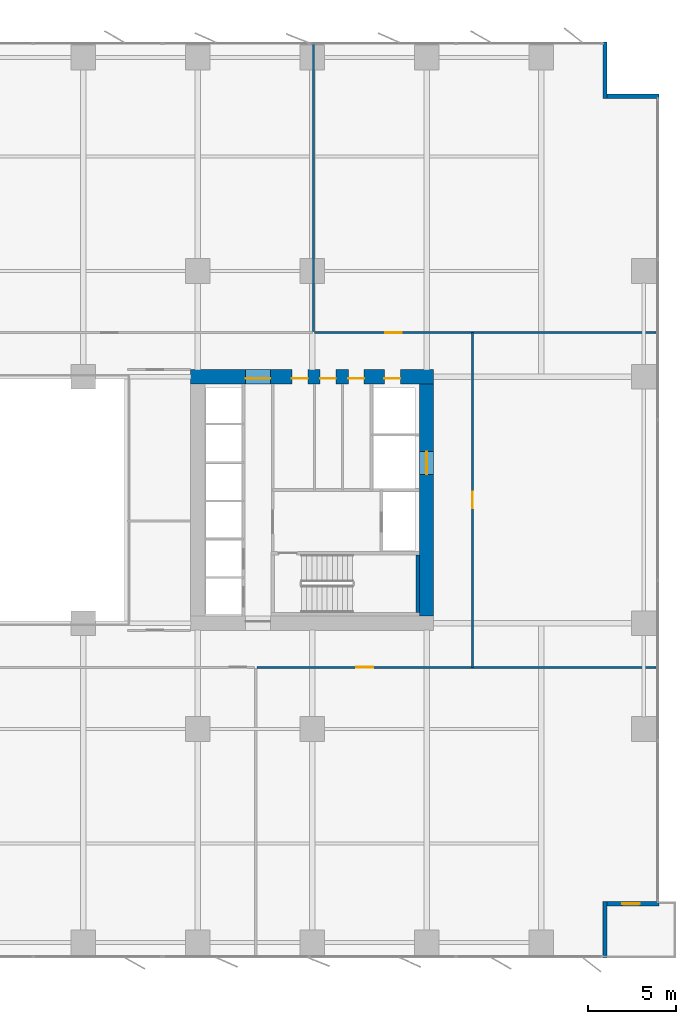
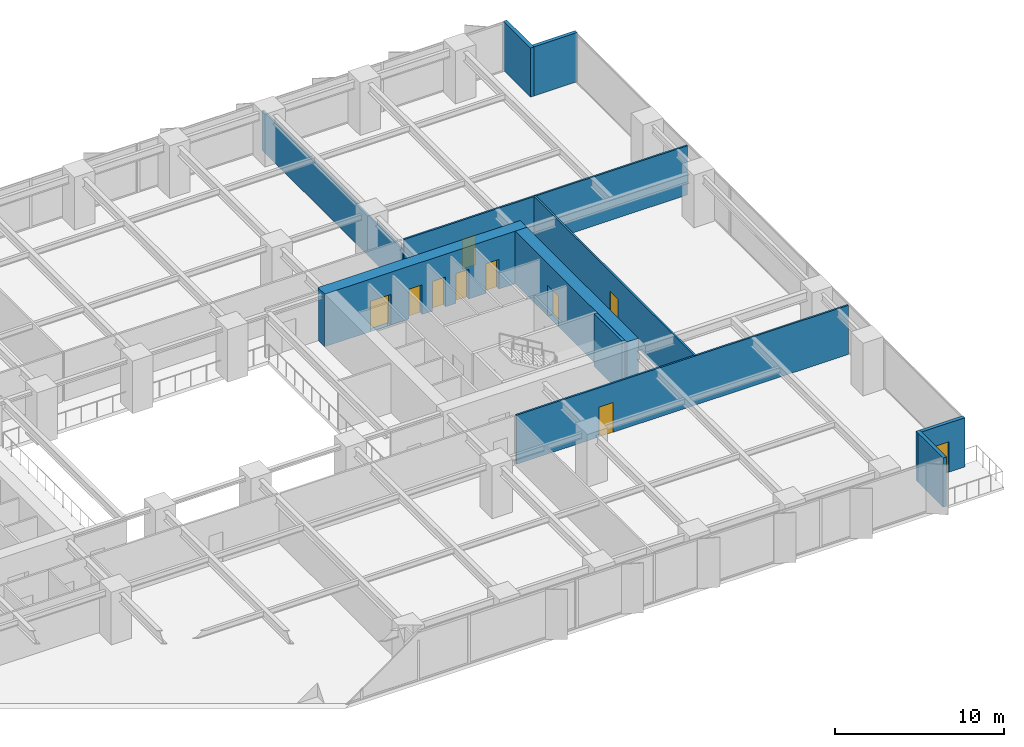
# One storey, part 15 of 20: 11 walls, 10 doors, 10 openings.
"""IFC4 building model written with IfcOpenShell, lengths in metres."""

from ifc_helpers import new_model, si_unit, direction, frame, frame_2d, origin, place, context, subcontext, project, spatial, rectangle, extrude, material, layer, layer_set, type_object, element, fill, save


model = new_model("IFC4")

# Units and contexts
model_context = context("Model", 3, precision=1e-05, world=origin(), true_north=direction((0.0, 1.0)))
body_context = subcontext(model_context, "Body", "Model", "MODEL_VIEW")
ifc_project = project(units=[si_unit("LENGTHUNIT", "METRE"), si_unit("AREAUNIT", "SQUARE_METRE"), si_unit("VOLUMEUNIT", "CUBIC_METRE"), si_unit("PLANEANGLEUNIT", "RADIAN"), si_unit("MASSUNIT", "GRAM", prefix="KILO")], contexts=[model_context])

# Site, building, storey
site_placement = place(None, origin())
site = spatial("IfcSite", under=ifc_project, at=site_placement, CompositionType="ELEMENT")
building_placement = place(site_placement, origin())
building = spatial("IfcBuilding", under=site, at=building_placement, Name="Putna Gate Headquarters", CompositionType="ELEMENT")
storey_placement = place(building_placement, frame((0.0, 0.0, 43.0)))
storey = spatial("IfcBuildingStorey", under=building, at=storey_placement, Name="L09", CompositionType="ELEMENT", Elevation=43.0)

# Wall, openings, doors
ifc_material_1 = material(Name="Concrete C60/75", Category="concrete")
ifc_layer_1 = layer(ifc_material_1, 0.800048828125)
ifc_layer_set_1 = layer_set([ifc_layer_1], Name="Concrete C60/75")
wall_type_1 = type_object("IfcWallType", Name="WALL-CORE-800", PredefinedType="SHEAR", material=ifc_layer_set_1)
wall_1_placement = place(storey_placement, frame((51.60009765625, 33.0, 0.0), z_axis=(0.0, 0.0, 1.0), x_axis=(1.0, 0.0, 0.0)))
wall_1 = element("IfcWall", 1, at=wall_1_placement, inside=storey, type_object=wall_type_1, Name="L09 EC Split Core Shear Wall N", PredefinedType="SHEAR", context=body_context, shape_type="SweptSolid", body=[
    extrude(rectangle(XDim=13.7998046875, YDim=0.800048828125, at=frame_2d((6.89990234375, 0.0))), origin(), (0.0, 0.0, 1.0), 3.800048828125),
])
opening_1_placement = place(wall_1_placement, frame((3.1201171875, 0.0, 0.0)))
opening_1 = element("IfcOpeningElement", 2, at=opening_1_placement, cuts=wall_1, Name="Opening FDD-140", PredefinedType="OPENING", context=body_context, shape_type="SweptSolid", body=[
    extrude(rectangle(XDim=1.39990234375, YDim=2.199951171875, at=frame_2d((0.699951171875, 1.10009765625))), frame((0.0, 0.409912109375, 0.0), z_axis=(0.0, -1.0, 0.0), x_axis=(1.0, 0.0, 0.0)), (0.0, 0.0, 1.0), 0.820068359375),
])
opening_2_placement = place(wall_1_placement, frame((11.0, 0.0, 0.0)))
opening_2 = element("IfcOpeningElement", 3, at=opening_2_placement, cuts=wall_1, Name="Opening RD-90", PredefinedType="OPENING", context=body_context, shape_type="SweptSolid", body=[
    extrude(rectangle(XDim=0.89990234375, YDim=2.14990234375, at=frame_2d((0.449951171875, 1.074951171875))), frame((0.0, 0.409912109375, 0.0), z_axis=(0.0, -1.0, 0.0), x_axis=(1.0, 0.0, 0.0)), (0.0, 0.0, 1.0), 0.820068359375),
])
opening_3_placement = place(wall_1_placement, frame((5.75, 0.0, 0.0)))
opening_3 = element("IfcOpeningElement", 4, at=opening_3_placement, cuts=wall_1, Name="Opening IDS-90", PredefinedType="OPENING", context=body_context, shape_type="SweptSolid", body=[
    extrude(rectangle(XDim=0.89990234375, YDim=2.14990234375, at=frame_2d((0.449951171875, 1.074951171875))), frame((0.0, 0.409912109375, 0.0), z_axis=(0.0, -1.0, 0.0), x_axis=(1.0, 0.0, 0.0)), (0.0, 0.0, 1.0), 0.820068359375),
])
opening_4_placement = place(wall_1_placement, frame((7.35009765625, 0.0, 0.0)))
opening_4 = element("IfcOpeningElement", 5, at=opening_4_placement, cuts=wall_1, Name="Opening IDS-90", PredefinedType="OPENING", context=body_context, shape_type="SweptSolid", body=[
    extrude(rectangle(XDim=0.89990234375, YDim=2.14990234375, at=frame_2d((0.449951171875, 1.074951171875))), frame((0.0, 0.409912109375, 0.0), z_axis=(0.0, -1.0, 0.0), x_axis=(1.0, 0.0, 0.0)), (0.0, 0.0, 1.0), 0.820068359375),
])
opening_5_placement = place(wall_1_placement, frame((8.949951171875, 0.0, 0.0)))
opening_5 = element("IfcOpeningElement", 6, at=opening_5_placement, cuts=wall_1, Name="Opening IDS-90", PredefinedType="OPENING", context=body_context, shape_type="SweptSolid", body=[
    extrude(rectangle(XDim=0.89990234375, YDim=2.14990234375, at=frame_2d((0.449951171875, 1.074951171875))), frame((0.0, 0.409912109375, 0.0), z_axis=(0.0, -1.0, 0.0), x_axis=(1.0, 0.0, 0.0)), (0.0, 0.0, 1.0), 0.820068359375),
])
ifc_material_2 = material(Name="Double steel fire door", Category="steel")
door_type_1 = type_object("IfcDoorType", Name="DOOR-FIRE-DBL-1400", OperationType="DOUBLE_DOOR_SINGLE_SWING", PredefinedType="DOOR", material=ifc_material_2)
door_1_placement = place(opening_1_placement, origin())
door_1 = element("IfcDoor", 7, at=door_1_placement, inside=storey, type_object=door_type_1, Name="L09 East Lift Lobby North Door", OperationType="DOUBLE_DOOR_SINGLE_SWING", OverallHeight=2.199951171875, OverallWidth=1.39990234375, PredefinedType="DOOR", context=body_context, shape_type="SweptSolid", body=[
    extrude(rectangle(XDim=1.39990234375, YDim=2.199951171875, at=frame_2d((0.699951171875, 1.10009765625))), frame((0.0, -0.0751953125, 0.0), z_axis=(0.0, -1.0, 0.0), x_axis=(1.0, 0.0, 0.0)), (0.0, 0.0, 1.0), 0.050048828125),
])
fill(opening_1, door_1)
ifc_material_3 = material(Name="Fire-rated utility door")
door_type_2 = type_object("IfcDoorType", Name="DOOR-INT-900", OperationType="NOTDEFINED", PredefinedType="DOOR", material=ifc_material_3)
door_2_placement = place(opening_3_placement, origin())
door_2 = element("IfcDoor", 8, at=door_2_placement, inside=storey, type_object=door_type_2, Name="L09 East Cleaner Store Door", OperationType="SINGLE_SWING_RIGHT", OverallHeight=2.14990234375, OverallWidth=0.89990234375, PredefinedType="DOOR", context=body_context, shape_type="SweptSolid", body=[
    extrude(rectangle(XDim=0.89990234375, YDim=2.14990234375, at=frame_2d((0.449951171875, 1.074951171875))), frame((0.0, -0.0751953125, 0.0), z_axis=(0.0, -1.0, 0.0), x_axis=(1.0, 0.0, 0.0)), (0.0, 0.0, 1.0), 0.050048828125),
])
fill(opening_3, door_2)
door_3_placement = place(opening_4_placement, origin())
door_3 = element("IfcDoor", 9, at=door_3_placement, inside=storey, type_object=door_type_2, Name="L09 BMS Outstation Door", OperationType="SINGLE_SWING_LEFT", OverallHeight=2.14990234375, OverallWidth=0.89990234375, PredefinedType="DOOR", context=body_context, shape_type="SweptSolid", body=[
    extrude(rectangle(XDim=0.89990234375, YDim=2.14990234375, at=frame_2d((0.449951171875, 1.074951171875))), frame((0.0, -0.0751953125, 0.0), z_axis=(0.0, -1.0, 0.0), x_axis=(1.0, 0.0, 0.0)), (0.0, 0.0, 1.0), 0.050048828125),
])
fill(opening_4, door_3)
door_4_placement = place(opening_5_placement, origin())
door_4 = element("IfcDoor", 10, at=door_4_placement, inside=storey, type_object=door_type_2, Name="L09 Facilities Equipment Store Door", OperationType="SINGLE_SWING_RIGHT", OverallHeight=2.14990234375, OverallWidth=0.89990234375, PredefinedType="DOOR", context=body_context, shape_type="SweptSolid", body=[
    extrude(rectangle(XDim=0.89990234375, YDim=2.14990234375, at=frame_2d((0.449951171875, 1.074951171875))), frame((0.0, -0.0751953125, 0.0), z_axis=(0.0, -1.0, 0.0), x_axis=(1.0, 0.0, 0.0)), (0.0, 0.0, 1.0), 0.050048828125),
])
fill(opening_5, door_4)
ifc_material_4 = material(Name="Steel riser access fire door", Category="steel")
door_type_3 = type_object("IfcDoorType", Name="DOOR-RISER-900", OperationType="NOTDEFINED", PredefinedType="DOOR", material=ifc_material_4)
door_5_placement = place(opening_2_placement, origin())
door_5 = element("IfcDoor", 11, at=door_5_placement, inside=storey, type_object=door_type_3, Name="L09 East Riser Access Door", OperationType="SINGLE_SWING_LEFT", OverallHeight=2.14990234375, OverallWidth=0.89990234375, PredefinedType="DOOR", context=body_context, shape_type="SweptSolid", body=[
    extrude(rectangle(XDim=0.89990234375, YDim=2.14990234375, at=frame_2d((0.449951171875, 1.074951171875))), frame((0.0, -0.0751953125, 0.0), z_axis=(0.0, -1.0, 0.0), x_axis=(1.0, 0.0, 0.0)), (0.0, 0.0, 1.0), 0.050048828125),
])
fill(opening_2, door_5)

# Wall, opening, door
wall_2_placement = place(storey_placement, frame((65.0, 19.39990234375, 0.0), z_axis=(0.0, 0.0, 1.0), x_axis=(0.0, 1.0, 0.0)))
wall_2 = element("IfcWall", 12, at=wall_2_placement, inside=storey, type_object=wall_type_1, Name="L09 EC Split Core Shear Wall E", PredefinedType="SHEAR", context=body_context, shape_type="SweptSolid", body=[
    extrude(rectangle(XDim=13.2001953125, YDim=0.800048828125, at=frame_2d((6.60009765625, 0.0))), origin(), (0.0, 0.0, 1.0), 3.800048828125),
])
opening_6_placement = place(wall_2_placement, frame((8.050048828125, 0.0, 0.0)))
opening_6 = element("IfcOpeningElement", 13, at=opening_6_placement, cuts=wall_2, Name="Opening LD-2", PredefinedType="OPENING", context=body_context, shape_type="SweptSolid", body=[
    extrude(rectangle(XDim=1.300048828125, YDim=2.199951171875, at=frame_2d((0.64990234375, 1.10009765625))), frame((0.0, 0.409912109375, 0.0), z_axis=(0.0, -1.0, 0.0), x_axis=(1.0, 0.0, 0.0)), (0.0, 0.0, 1.0), 0.820068359375),
])
ifc_material_5 = material(Name="Heavy-duty goods lift sliding landing door")
door_type_4 = type_object("IfcDoorType", Name="DOOR-LIFT-1300", OperationType="DOUBLE_DOOR_SLIDING", PredefinedType="DOOR", material=ifc_material_5)
door_6_placement = place(opening_6_placement, origin())
door_6 = element("IfcDoor", 14, at=door_6_placement, inside=storey, type_object=door_type_4, Name="L09 Goods Lift Landing Door LD-15", OperationType="DOUBLE_DOOR_SLIDING", OverallHeight=2.199951171875, OverallWidth=1.300048828125, PredefinedType="DOOR", context=body_context, shape_type="SweptSolid", body=[
    extrude(rectangle(XDim=1.300048828125, YDim=2.199951171875, at=frame_2d((0.64990234375, 1.10009765625))), frame((0.0, 0.02490234375, 0.0), z_axis=(0.0, -1.0, 0.0), x_axis=(1.0, 0.0, 0.0)), (0.0, 0.0, 1.0), 0.050048828125),
])
fill(opening_6, door_6)

# Walls
ifc_material_6 = material(Name="Precast concrete C40/50", Category="concrete")
ifc_layer_2 = layer(ifc_material_6, 0.239990234375)
ifc_layer_set_2 = layer_set([ifc_layer_2], Name="Precast concrete C40/50")
wall_type_2 = type_object("IfcWallType", Name="WALL-EXT-TERR-240", PredefinedType="STANDARD", material=ifc_layer_set_2)
for number, where, z_axis, x_axis, name in (
    (15, (75.1201171875, 52.0, 0.0), (0.0, 0.0, 1.0), (0.0, -1.0, 0.0), "L09 Corner Notch Return Wall NE-V"),
    (16, (75.0, 48.919921875, 0.0), (0.0, 0.0, 1.0), (1.0, 0.0, 0.0), "L09 Corner Notch Return Wall NE-H"),
    (17, (75.1201171875, 3.199951171875, 0.0), (0.0, 0.0, 1.0), (0.0, -1.0, 0.0), "L09 Corner Notch Return Wall SE-V"),
):
    element("IfcWall", number, at=place(storey_placement, frame(where, z_axis=z_axis, x_axis=x_axis)), inside=storey, type_object=wall_type_2, Name=name, PredefinedType="STANDARD", context=body_context, shape_type="SweptSolid", body=[
        extrude(rectangle(XDim=3.199951171875, YDim=0.239990234375, at=frame_2d((1.60009765625, 0.0))), origin(), (0.0, 0.0, 1.0), 3.550048828125),
    ])

# Wall, opening, door
wall_3_placement = place(storey_placement, frame((78.199951171875, 3.080078125, 0.0), z_axis=(0.0, 0.0, 1.0), x_axis=(-1.0, 0.0, 0.0)))
wall_3 = element("IfcWall", 18, at=wall_3_placement, inside=storey, type_object=wall_type_2, Name="L09 Corner Notch Return Wall SE-H", PredefinedType="STANDARD", context=body_context, shape_type="SweptSolid", body=[
    extrude(rectangle(XDim=3.199951171875, YDim=0.239990234375, at=frame_2d((1.60009765625, 0.0))), origin(), (0.0, 0.0, 1.0), 3.550048828125),
])
opening_7_placement = place(wall_3_placement, frame((1.10009765625, 0.0, 0.0)))
opening_7 = element("IfcOpeningElement", 19, at=opening_7_placement, cuts=wall_3, Name="Opening TRD-1", PredefinedType="OPENING", context=body_context, shape_type="SweptSolid", body=[
    extrude(rectangle(XDim=1.0, YDim=2.199951171875, at=frame_2d((0.5, 1.10009765625))), frame((0.0, 0.1298828125, 0.0), z_axis=(0.0, -1.0, 0.0), x_axis=(1.0, 0.0, 0.0)), (0.0, 0.0, 1.0), 0.260009765625),
])
ifc_material_7 = material(Name="Thermally broken bronze glazed terrace door")
door_type_5 = type_object("IfcDoorType", Name="DOOR-TERR-EXT-1000", OperationType="NOTDEFINED", PredefinedType="DOOR", material=ifc_material_7)
door_7_placement = place(opening_7_placement, origin())
door_7 = element("IfcDoor", 20, at=door_7_placement, inside=storey, type_object=door_type_5, Name="L09 Spiral Sky Terrace Door SE", OperationType="SINGLE_SWING_RIGHT", OverallHeight=2.199951171875, OverallWidth=1.0, PredefinedType="DOOR", context=body_context, shape_type="SweptSolid", body=[
    extrude(rectangle(XDim=1.0, YDim=2.199951171875, at=frame_2d((0.5, 1.10009765625))), frame((0.0, 0.02490234375, 0.0), z_axis=(0.0, -1.0, 0.0), x_axis=(1.0, 0.0, 0.0)), (0.0, 0.0, 1.0), 0.050048828125),
])
fill(opening_7, door_7)

# Wall
ifc_material_8 = material(Name="Acoustic gypsum board on metal stud")
ifc_layer_3 = layer(ifc_material_8, 0.1201171875)
ifc_layer_set_3 = layer_set([ifc_layer_3], Name="Acoustic gypsum board on metal stud")
wall_type_3 = type_object("IfcWallType", Name="WALL-PART-120", PredefinedType="PARTITIONING", material=ifc_layer_set_3)
wall_4_placement = place(storey_placement, frame((58.580078125, 35.56005859375, 0.0), z_axis=(0.0, 0.0, 1.0), x_axis=(0.0, 1.0, 0.0)))
element("IfcWall", 21, at=wall_4_placement, inside=storey, type_object=wall_type_3, Name="L09 Interior Wall PART-L09-NB-DIV-03", PredefinedType="PARTITIONING", context=body_context, shape_type="SweptSolid", body=[
    extrude(rectangle(XDim=16.419921875, YDim=0.1201171875, at=frame_2d((8.2099609375, 0.0))), origin(), (0.0, 0.0, 1.0), 2.89990234375),
])

# Wall, opening, door
ifc_material_9 = material(Name="Fire-rated gypsum board on metal stud")
ifc_layer_4 = layer(ifc_material_9, 0.1201171875)
ifc_layer_set_4 = layer_set([ifc_layer_4], Name="Fire-rated gypsum board on metal stud")
wall_type_4 = type_object("IfcWallType", Name="WALL-PART-120-RATED", PredefinedType="PARTITIONING", material=ifc_layer_set_4)
wall_5_placement = place(storey_placement, frame((58.64013671875, 35.5, 0.0), z_axis=(0.0, 0.0, 1.0), x_axis=(1.0, 0.0, 0.0)))
wall_5 = element("IfcWall", 22, at=wall_5_placement, inside=storey, type_object=wall_type_4, Name="L09 Interior Wall PART-L09-NB-CW-04", PredefinedType="PARTITIONING", context=body_context, shape_type="SweptSolid", body=[
    extrude(rectangle(XDim=19.3798828125, YDim=0.1201171875, at=frame_2d((9.68994140625, 0.0))), origin(), (0.0, 0.0, 1.0), 3.550048828125),
])
opening_8_placement = place(wall_5_placement, frame((4.0048828125, 0.0, 0.0)))
opening_8 = element("IfcOpeningElement", 23, at=opening_8_placement, cuts=wall_5, Name="Opening FD-95", PredefinedType="OPENING", context=body_context, shape_type="SweptSolid", body=[
    extrude(rectangle(XDim=0.949951171875, YDim=2.14990234375, at=frame_2d((0.47509765625, 1.074951171875))), frame((0.0, 0.070068359375, 0.0), z_axis=(0.0, -1.0, 0.0), x_axis=(1.0, 0.0, 0.0)), (0.0, 0.0, 1.0), 0.14013671875),
])
ifc_material_10 = material(Name="Acoustic timber fire door", Category="wood")
door_type_6 = type_object("IfcDoorType", Name="DOOR-FIRE-950", OperationType="NOTDEFINED", PredefinedType="DOOR", material=ifc_material_10)
door_8_placement = place(opening_8_placement, origin())
door_8 = element("IfcDoor", 24, at=door_8_placement, inside=storey, type_object=door_type_6, Name="L09 Quiet Wellness Focus Studio 1 Door", OperationType="SINGLE_SWING_LEFT", OverallHeight=2.14990234375, OverallWidth=0.949951171875, PredefinedType="DOOR", context=body_context, shape_type="SweptSolid", body=[
    extrude(rectangle(XDim=0.949951171875, YDim=2.14990234375, at=frame_2d((0.47509765625, 1.074951171875))), frame((0.0, 0.02490234375, 0.0), z_axis=(0.0, -1.0, 0.0), x_axis=(1.0, 0.0, 0.0)), (0.0, 0.0, 1.0), 0.050048828125),
])
fill(opening_8, door_8)

wall_6_placement = place(storey_placement, frame((55.356201171875, 16.5, 0.0), z_axis=(0.0, 0.0, 1.0), x_axis=(1.0, 0.0, 0.0)))
wall_6 = element("IfcWall", 25, at=wall_6_placement, inside=storey, type_object=wall_type_4, Name="L09 Interior Wall PART-L09-SB-CW-04", PredefinedType="PARTITIONING", context=body_context, shape_type="SweptSolid", body=[
    extrude(rectangle(XDim=22.663818359375, YDim=0.1201171875, at=frame_2d((11.33203125, 0.0))), origin(), (0.0, 0.0, 1.0), 3.550048828125),
])
opening_9_placement = place(wall_6_placement, frame((5.64697265625, 0.0, 0.0)))
opening_9 = element("IfcOpeningElement", 26, at=opening_9_placement, cuts=wall_6, Name="Opening FD-95", PredefinedType="OPENING", context=body_context, shape_type="SweptSolid", body=[
    extrude(rectangle(XDim=0.949951171875, YDim=2.14990234375, at=frame_2d((0.47509765625, 1.074951171875))), frame((0.0, 0.070068359375, 0.0), z_axis=(0.0, -1.0, 0.0), x_axis=(1.0, 0.0, 0.0)), (0.0, 0.0, 1.0), 0.14013671875),
])
door_9_placement = place(opening_9_placement, origin())
door_9 = element("IfcDoor", 27, at=door_9_placement, inside=storey, type_object=door_type_6, Name="L09 Quiet Wellness Focus Studio 3 Door", OperationType="SINGLE_SWING_LEFT", OverallHeight=2.14990234375, OverallWidth=0.949951171875, PredefinedType="DOOR", context=body_context, shape_type="SweptSolid", body=[
    extrude(rectangle(XDim=0.949951171875, YDim=2.14990234375, at=frame_2d((0.47509765625, 1.074951171875))), frame((0.0, 0.02490234375, 0.0), z_axis=(0.0, -1.0, 0.0), x_axis=(1.0, 0.0, 0.0)), (0.0, 0.0, 1.0), 0.050048828125),
])
fill(opening_9, door_9)

wall_7_placement = place(storey_placement, frame((67.60009765625, 16.5, 0.0), z_axis=(0.0, 0.0, 1.0), x_axis=(0.0, 1.0, 0.0)))
wall_7 = element("IfcWall", 28, at=wall_7_placement, inside=storey, type_object=wall_type_4, Name="L09 Interior Wall PART-L09-EW-CW-1", PredefinedType="PARTITIONING", context=body_context, shape_type="SweptSolid", body=[
    extrude(rectangle(XDim=19.0, YDim=0.1201171875, at=frame_2d((9.5, 0.0))), origin(), (0.0, 0.0, 1.0), 3.550048828125),
])
opening_10_placement = place(wall_7_placement, frame((9.02490234375, 0.0, 0.0)))
opening_10 = element("IfcOpeningElement", 29, at=opening_10_placement, cuts=wall_7, Name="Opening FD-95", PredefinedType="OPENING", context=body_context, shape_type="SweptSolid", body=[
    extrude(rectangle(XDim=0.949951171875, YDim=2.14990234375, at=frame_2d((0.47509765625, 1.074951171875))), frame((0.0, 0.070068359375, 0.0), z_axis=(0.0, -1.0, 0.0), x_axis=(1.0, 0.0, 0.0)), (0.0, 0.0, 1.0), 0.14013671875),
])
door_10_placement = place(opening_10_placement, origin())
door_10 = element("IfcDoor", 30, at=door_10_placement, inside=storey, type_object=door_type_6, Name="L09 East Horizon Conference Room 1 Door", OperationType="SINGLE_SWING_RIGHT", OverallHeight=2.14990234375, OverallWidth=0.949951171875, PredefinedType="DOOR", context=body_context, shape_type="SweptSolid", body=[
    extrude(rectangle(XDim=0.949951171875, YDim=2.14990234375, at=frame_2d((0.47509765625, 1.074951171875))), frame((0.0, 0.02490234375, 0.0), z_axis=(0.0, -1.0, 0.0), x_axis=(1.0, 0.0, 0.0)), (0.0, 0.0, 1.0), 0.050048828125),
])
fill(opening_10, door_10)

# Wall
ifc_material_11 = material(Name="Concrete C40/50", Category="concrete")
ifc_layer_5 = layer(ifc_material_11, 0.199951171875)
ifc_layer_set_5 = layer_set([ifc_layer_5], Name="Concrete C40/50")
wall_type_5 = type_object("IfcWallType", Name="WALL-SHAFT-RC200", PredefinedType="SHEAR", material=ifc_layer_set_5)
wall_8_placement = place(storey_placement, frame((64.489990234375, 19.610107421875, 0.0), z_axis=(0.0, 0.0, 1.0), x_axis=(0.0, 1.0, 0.0)))
element("IfcWall", 31, at=wall_8_placement, inside=storey, type_object=wall_type_5, Name="L09 Stair ST2 Structural Shaft Wall E", PredefinedType="SHEAR", context=body_context, shape_type="SweptSolid", body=[
    extrude(rectangle(XDim=3.27978515625, YDim=0.199951171875, at=frame_2d((1.639892578125, 0.0))), origin(), (0.0, 0.0, 1.0), 3.800048828125),
])

save(model, "model.ifc")
